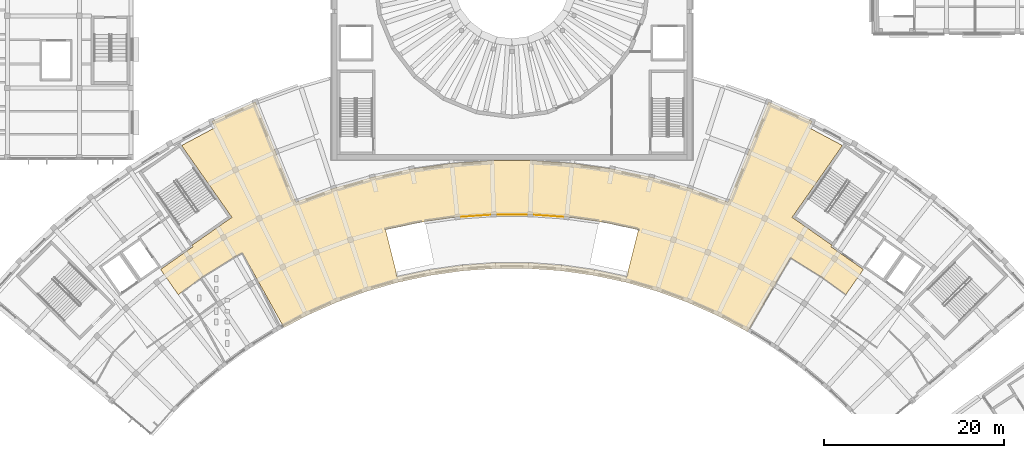
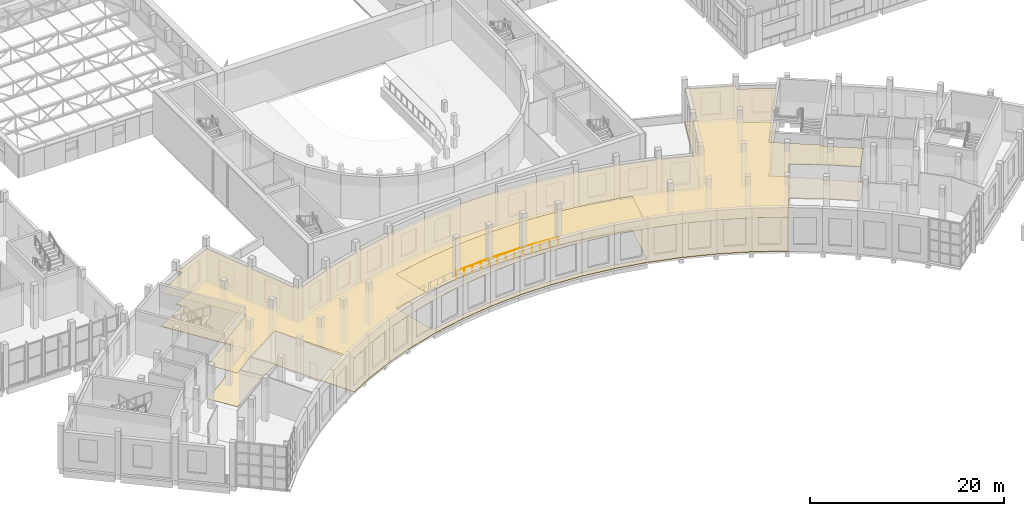
# One storey, part 108 of 132: 2 coverings, 1 railing.
"""IFC4 building model written with IfcOpenShell, lengths in metres."""

from ifc_helpers import new_model, si_unit, direction, frame, origin, origin_2d, place, context, subcontext, project, spatial, polyline, circle, outline, extrude, material, layer, layer_set, type_object, element, save


model = new_model("IFC4")

# Units and contexts
model_context = context("Model", 3, precision=1e-05, world=origin(), true_north=direction((0.0, 1.0)))
body_context = subcontext(model_context, "Body", "Model", "MODEL_VIEW")
ifc_project = project(units=[si_unit("LENGTHUNIT", "METRE"), si_unit("AREAUNIT", "SQUARE_METRE"), si_unit("VOLUMEUNIT", "CUBIC_METRE"), si_unit("PLANEANGLEUNIT", "RADIAN"), si_unit("MASSUNIT", "GRAM", prefix="KILO")], contexts=[model_context])

# Site, building, storey
site_placement = place(None, origin())
site = spatial("IfcSite", under=ifc_project, at=site_placement, CompositionType="ELEMENT")
building_placement = place(site_placement, origin())
building = spatial("IfcBuilding", under=site, at=building_placement, Name="Lunette Opera House", CompositionType="ELEMENT")
storey_placement = place(building_placement, frame((0.0, 0.0, 17.0)))
storey = spatial("IfcBuildingStorey", under=building, at=storey_placement, Name="L03", CompositionType="ELEMENT", Elevation=17.0)

# Railing
ifc_material_1 = material(Name="Steel S355", Category="steel")
railing_type = type_object("IfcRailingType", Name="OPENING GUARD 1100", PredefinedType="GUARDRAIL", material=ifc_material_1)
railing_placement = place(storey_placement, frame((89.93701171875, 57.681884765625, 0.0)))
element("IfcRailing", 1, at=railing_placement, inside=storey, type_object=railing_type, Name="Floor opening guard", PredefinedType="GUARDRAIL", context=body_context, shape_type="SweptSolid", body=[
    extrude(circle(Radius=0.02392578125, at=origin_2d()), frame((0.0, 0.0, 1.076171875), z_axis=(0.99755089611, 0.069944332658, 0.0), x_axis=(-0.069944332658, 0.99755089611, 0.0)), (0.0, 0.0, 1.0), 4.049072265625),
    extrude(circle(Radius=0.02392578125, at=origin_2d()), frame((4.0390625, 0.283203125, 1.076171875), z_axis=(1.0, 0.0, 0.0), x_axis=(0.0, 1.0, 0.0)), (0.0, 0.0, 1.0), 4.0478515625),
    extrude(circle(Radius=0.02392578125, at=origin_2d()), frame((8.0869140625, 0.283203125, 1.076171875), z_axis=(0.99755089611, -0.069944332658, 0.0), x_axis=(0.069944332658, 0.99755089611, 0.0)), (0.0, 0.0, 1.0), 4.049072265625),
    extrude(circle(Radius=0.02099609375, at=origin_2d()), origin(), (0.0, 0.0, 1.0), 1.052001953125),
    extrude(circle(Radius=0.02099609375, at=origin_2d()), frame((1.009765625, 0.07080078125, 0.0)), (0.0, 0.0, 1.0), 1.052001953125),
    extrude(circle(Radius=0.02099609375, at=origin_2d()), frame((2.01953125, 0.1416015625, 0.0)), (0.0, 0.0, 1.0), 1.052001953125),
    extrude(circle(Radius=0.02099609375, at=origin_2d()), frame((3.029296875, 0.21240234375, 0.0)), (0.0, 0.0, 1.0), 1.052001953125),
    extrude(circle(Radius=0.02099609375, at=origin_2d()), frame((4.0390625, 0.283203125, 0.0)), (0.0, 0.0, 1.0), 1.052001953125),
    extrude(circle(Radius=0.02099609375, at=origin_2d()), frame((5.051025390625, 0.283203125, 0.0)), (0.0, 0.0, 1.0), 1.052001953125),
    extrude(circle(Radius=0.02099609375, at=origin_2d()), frame((6.06298828125, 0.283203125, 0.0)), (0.0, 0.0, 1.0), 1.052001953125),
    extrude(circle(Radius=0.02099609375, at=origin_2d()), frame((7.074951171875, 0.283203125, 0.0)), (0.0, 0.0, 1.0), 1.052001953125),
    extrude(circle(Radius=0.02099609375, at=origin_2d()), frame((8.0869140625, 0.283203125, 0.0)), (0.0, 0.0, 1.0), 1.052001953125),
    extrude(circle(Radius=0.02099609375, at=origin_2d()), frame((9.0966796875, 0.21240234375, 0.0)), (0.0, 0.0, 1.0), 1.052001953125),
    extrude(circle(Radius=0.02099609375, at=origin_2d()), frame((10.1064453125, 0.1416015625, 0.0)), (0.0, 0.0, 1.0), 1.052001953125),
    extrude(circle(Radius=0.02099609375, at=origin_2d()), frame((11.1162109375, 0.07080078125, 0.0)), (0.0, 0.0, 1.0), 1.052001953125),
    extrude(circle(Radius=0.02099609375, at=origin_2d()), frame((12.1259765625, 0.0, 0.0)), (0.0, 0.0, 1.0), 1.052001953125),
])

# Coverings
ifc_material_2 = material(Name="Mineral fibre board")
ifc_layer_1 = layer(ifc_material_2, 0.014892578125)
ifc_layer_set_1 = layer_set([ifc_layer_1], Name="Mineral fibre board")
covering_type_1 = type_object("IfcCoveringType", Name="SUSPENDED ACOUSTIC CEILING 15", PredefinedType="CEILING", material=ifc_layer_set_1)
covering_1_placement = place(storey_placement, frame((0.0, 0.0, 4.284912109375)))
element("IfcCovering", 2, at=covering_1_placement, inside=storey, type_object=covering_type_1, Name="Ceiling Second Tier Foyer", PredefinedType="CEILING", context=body_context, shape_type="SweptSolid", body=[
    extrude(outline(polyline([(66.0791015625, 53.701904296875), (65.25, 53.260986328125), (61.610107421875, 50.986083984375), (59.3779296875, 49.364990234375), (58.9609375, 49.06103515625), (57.001953125, 51.860107421875), (60.60595703125, 54.384033203125), (60.490966796875, 54.548095703125), (64.9140625, 57.64501953125), (59.3310546875, 65.6201171875), (63.033935546875, 67.589111328125), (62.68408203125, 68.30810546875), (67.530029296875, 70.466064453125), (72.02490234375, 59.340087890625), (76.222900390625, 60.867919921875), (80.51708984375, 62.09912109375), (84.886962890625, 63.028076171875), (89.31005859375, 63.64892578125), (93.76611328125, 63.9609375), (98.23388671875, 63.9609375), (102.68994140625, 63.64892578125), (107.113037109375, 63.028076171875), (111.48291015625, 62.09912109375), (115.777099609375, 60.867919921875), (119.97509765625, 59.340087890625), (124.469970703125, 70.466064453125), (129.31591796875, 68.30810546875), (128.966064453125, 67.589111328125), (132.6689453125, 65.6201171875), (127.0859375, 57.64501953125), (131.509033203125, 54.548095703125), (131.39404296875, 54.384033203125), (134.998046875, 51.860107421875), (133.0390625, 49.06103515625), (130.389892578125, 50.986083984375), (126.9208984375, 53.153076171875), (122.14501953125, 44.943115234375), (122.0, 45.032958984375), (118.794921875, 46.737060546875), (115.47998046875, 48.214111328125), (112.069091796875, 49.455078125), (108.580078125, 50.455078125), (105.030029296875, 51.2099609375), (101.43505859375, 51.715087890625), (97.81494140625, 51.968017578125), (94.18505859375, 51.968017578125), (90.56494140625, 51.715087890625), (86.969970703125, 51.2099609375), (83.419921875, 50.455078125), (79.930908203125, 49.455078125), (76.52001953125, 48.214111328125), (73.205078125, 46.737060546875), (70.700927734375, 45.406005859375), (66.0791015625, 53.701904296875)]), holes=[polyline([(108.72509765625, 51.0380859375), (110.031005859375, 56.277099609375), (106.072021484375, 57.118896484375), (102.06298828125, 57.681884765625), (98.02392578125, 57.965087890625), (93.97607421875, 57.965087890625), (89.93701171875, 57.681884765625), (85.927978515625, 57.118896484375), (81.968994140625, 56.277099609375), (83.27490234375, 51.0380859375), (86.865966796875, 51.801025390625), (90.501953125, 52.31201171875), (94.1640625, 52.568115234375), (97.8359375, 52.568115234375), (101.498046875, 52.31201171875), (105.134033203125, 51.801025390625), (108.72509765625, 51.0380859375)])]), origin(), (0.0, 0.0, 1.0), 0.01513671875),
])
ifc_material_3 = material(Name="Terrazzo")
ifc_layer_2 = layer(ifc_material_3, 0.06005859375)
ifc_layer_set_2 = layer_set([ifc_layer_2], Name="Terrazzo")
covering_type_2 = type_object("IfcCoveringType", Name="TERRAZZO FLOOR FINISH 60", PredefinedType="FLOORING", material=ifc_layer_set_2)
covering_2_placement = place(storey_placement, origin())
element("IfcCovering", 3, at=covering_2_placement, inside=storey, type_object=covering_type_2, Name="Floor finish Second Tier Foyer", PredefinedType="FLOORING", context=body_context, shape_type="SweptSolid", body=[
    extrude(outline(polyline([(66.0791015625, 53.701904296875), (65.25, 53.260986328125), (61.610107421875, 50.986083984375), (59.3779296875, 49.364990234375), (58.9609375, 49.06103515625), (57.001953125, 51.860107421875), (60.60595703125, 54.384033203125), (60.490966796875, 54.548095703125), (64.9140625, 57.64501953125), (59.3310546875, 65.6201171875), (63.033935546875, 67.589111328125), (62.68408203125, 68.30810546875), (67.530029296875, 70.466064453125), (72.02490234375, 59.340087890625), (76.222900390625, 60.867919921875), (80.51708984375, 62.09912109375), (84.886962890625, 63.028076171875), (89.31005859375, 63.64892578125), (93.76611328125, 63.9609375), (98.23388671875, 63.9609375), (102.68994140625, 63.64892578125), (107.113037109375, 63.028076171875), (111.48291015625, 62.09912109375), (115.777099609375, 60.867919921875), (119.97509765625, 59.340087890625), (124.469970703125, 70.466064453125), (129.31591796875, 68.30810546875), (128.966064453125, 67.589111328125), (132.6689453125, 65.6201171875), (127.0859375, 57.64501953125), (131.509033203125, 54.548095703125), (131.39404296875, 54.384033203125), (134.998046875, 51.860107421875), (133.0390625, 49.06103515625), (130.389892578125, 50.986083984375), (126.9208984375, 53.153076171875), (122.14501953125, 44.943115234375), (122.0, 45.032958984375), (118.794921875, 46.737060546875), (115.47998046875, 48.214111328125), (112.069091796875, 49.455078125), (108.580078125, 50.455078125), (105.030029296875, 51.2099609375), (101.43505859375, 51.715087890625), (97.81494140625, 51.968017578125), (94.18505859375, 51.968017578125), (90.56494140625, 51.715087890625), (86.969970703125, 51.2099609375), (83.419921875, 50.455078125), (79.930908203125, 49.455078125), (76.52001953125, 48.214111328125), (73.205078125, 46.737060546875), (70.700927734375, 45.406005859375), (66.0791015625, 53.701904296875)]), holes=[polyline([(108.72509765625, 51.0380859375), (110.031005859375, 56.277099609375), (106.072021484375, 57.118896484375), (102.06298828125, 57.681884765625), (98.02392578125, 57.965087890625), (93.97607421875, 57.965087890625), (89.93701171875, 57.681884765625), (85.927978515625, 57.118896484375), (81.968994140625, 56.277099609375), (83.27490234375, 51.0380859375), (86.865966796875, 51.801025390625), (90.501953125, 52.31201171875), (94.1640625, 52.568115234375), (97.8359375, 52.568115234375), (101.498046875, 52.31201171875), (105.134033203125, 51.801025390625), (108.72509765625, 51.0380859375)])]), origin(), (0.0, 0.0, 1.0), 0.06005859375),
])

save(model, "model.ifc")
